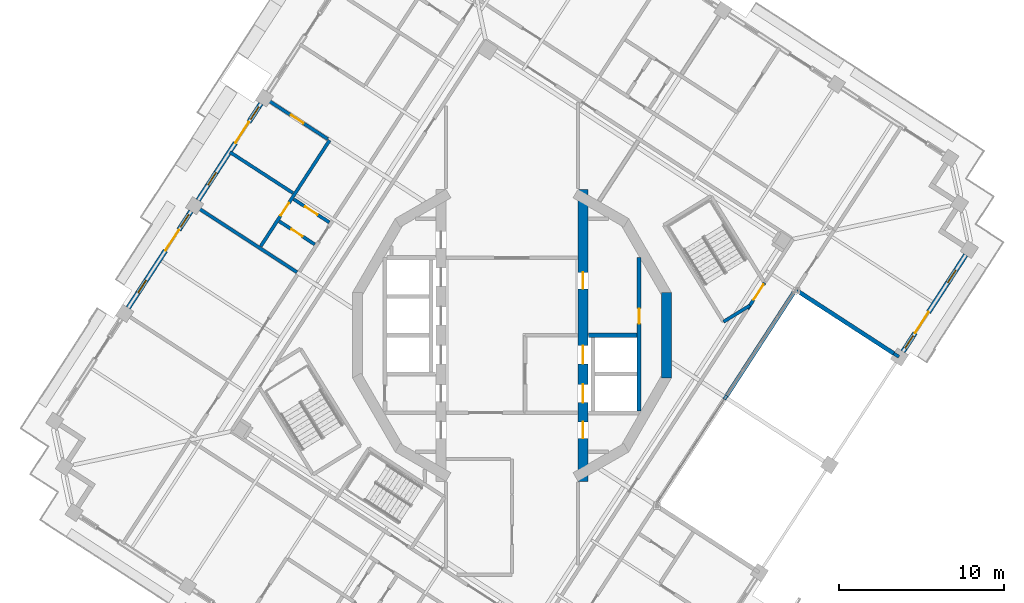
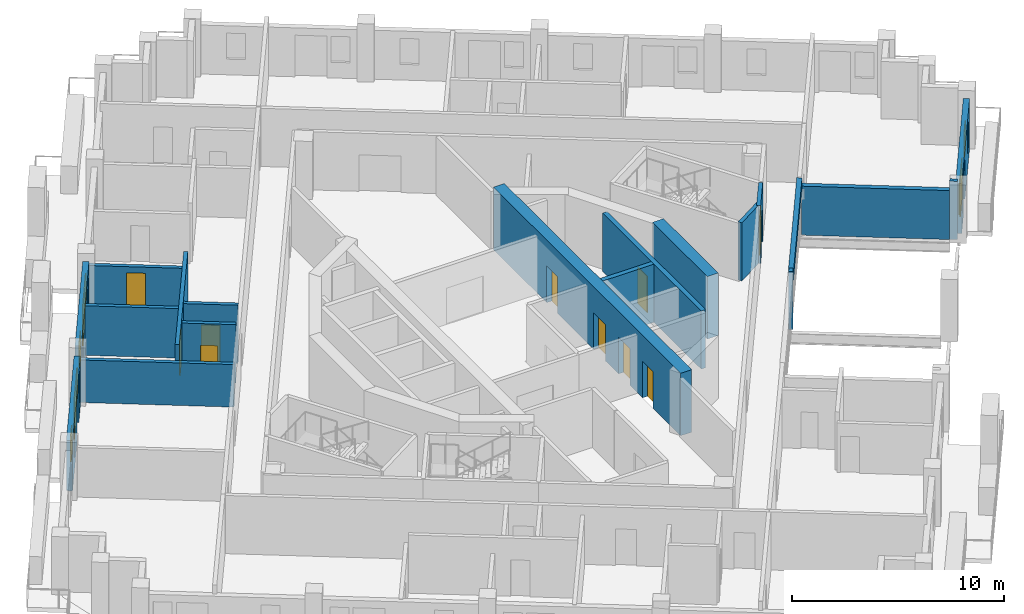
# One storey, part 8 of 17: 19 walls, 13 doors, 6 windows, 19 openings.
"""IFC4 building model written with IfcOpenShell, lengths in metres."""

from ifc_helpers import new_model, si_unit, direction, frame, frame_2d, origin, place, context, subcontext, project, spatial, rectangle, extrude, material, layer, layer_set, type_object, element, fill, save


model = new_model("IFC4")

# Units and contexts
model_context = context("Model", 3, precision=1e-05, world=origin(), true_north=direction((0.0, 1.0)))
body_context = subcontext(model_context, "Body", "Model", "MODEL_VIEW")
ifc_project = project(units=[si_unit("LENGTHUNIT", "METRE"), si_unit("AREAUNIT", "SQUARE_METRE"), si_unit("VOLUMEUNIT", "CUBIC_METRE"), si_unit("PLANEANGLEUNIT", "RADIAN"), si_unit("MASSUNIT", "GRAM", prefix="KILO")], contexts=[model_context])

# Site, building, storey
site_placement = place(None, origin())
site = spatial("IfcSite", under=ifc_project, at=site_placement, CompositionType="ELEMENT")
building_placement = place(site_placement, origin())
building = spatial("IfcBuilding", under=site, at=building_placement, Name="Cantera Rosa Tower", CompositionType="ELEMENT")
storey_placement = place(building_placement, frame((0.0, 0.0, 264.89990234375)))
storey = spatial("IfcBuildingStorey", under=building, at=storey_placement, Name="L59", CompositionType="ELEMENT", Elevation=264.89990234375)

# Wall
ifc_material_1 = material(Name="Gypsum board partition")
ifc_layer_1 = layer(ifc_material_1, 0.199951171875)
ifc_layer_set_1 = layer_set([ifc_layer_1], Name="CORRIDOR WALL 200 H3350")
wall_type_1 = type_object("IfcWallType", Name="CORRIDOR WALL 200 H3350", PredefinedType="PARTITIONING", material=ifc_layer_set_1)
wall_1_placement = place(storey_placement, frame((12.8642578125, -3.876220703125, 0.0), z_axis=(0.0, 0.0, 1.0), x_axis=(0.544605442853, 0.838692381994, 0.0)))
element("IfcWall", 1, at=wall_1_placement, inside=storey, type_object=wall_type_1, Name="CORRIDOR WALL L59-066", PredefinedType="PARTITIONING", context=body_context, shape_type="SweptSolid", body=[
    extrude(rectangle(XDim=0.26904296875, YDim=0.199951171875, at=frame_2d((0.134521484375, 0.0))), origin(), (0.0, 0.0, 1.0), 3.35009765625),
])

# Wall, openings, windows, door
ifc_material_2 = material(Name="Hollow clay masonry with cantera stone cladding", Category="masonry")
ifc_layer_2 = layer(ifc_material_2, 0.300048828125)
ifc_layer_set_2 = layer_set([ifc_layer_2], Name="EW-LOGGIA 300 H2890")
wall_type_2 = type_object("IfcWallType", Name="EW-LOGGIA 300 H2890", PredefinedType="SOLIDWALL", material=ifc_layer_set_2)
wall_2_placement = place(storey_placement, frame((-15.2080078125, 14.03759765625, 0.0), z_axis=(0.0, 0.0, 1.0), x_axis=(-0.544651451949, -0.838662504164, 0.0)))
wall_2 = element("IfcWall", 2, at=wall_2_placement, inside=storey, type_object=wall_type_2, Name="EN-L59-W09", PredefinedType="SOLIDWALL", context=body_context, shape_type="SweptSolid", body=[
    extrude(rectangle(XDim=6.980224609375, YDim=0.300048828125, at=frame_2d((3.490234375, 0.0))), origin(), (0.0, 0.0, 1.0), 2.89013671875),
])
opening_1_placement = place(wall_2_placement, frame((0.2451171875, 0.0, 0.89990234375)))
opening_1 = element("IfcOpeningElement", 3, at=opening_1_placement, cuts=wall_2, Name="Opening L59-W19", PredefinedType="OPENING", context=body_context, shape_type="SweptSolid", body=[
    extrude(rectangle(XDim=0.89990234375, YDim=1.5, at=frame_2d((0.449951171875, 0.75))), frame((0.0, 0.159912109375, 0.0), z_axis=(0.0, -1.0, 0.0), x_axis=(1.0, 0.0, 0.0)), (0.0, 0.0, 1.0), 0.320068359375),
])
opening_2_placement = place(wall_2_placement, frame((1.344970703125, 0.0, 0.0)))
opening_2 = element("IfcOpeningElement", 4, at=opening_2_placement, cuts=wall_2, Name="Opening L59-TD20", PredefinedType="OPENING", context=body_context, shape_type="SweptSolid", body=[
    extrude(rectangle(XDim=1.5, YDim=2.39990234375, at=frame_2d((0.75, 1.199951171875))), frame((0.0, 0.159912109375, 0.0), z_axis=(0.0, -1.0, 0.0), x_axis=(1.0, 0.0, 0.0)), (0.0, 0.0, 1.0), 0.320068359375),
])
opening_3_placement = place(wall_2_placement, frame((4.985107421875, 0.0, 0.89990234375)))
opening_3 = element("IfcOpeningElement", 5, at=opening_3_placement, cuts=wall_2, Name="Opening L59-W21", PredefinedType="OPENING", context=body_context, shape_type="SweptSolid", body=[
    extrude(rectangle(XDim=0.89990234375, YDim=1.5, at=frame_2d((0.449951171875, 0.75))), frame((0.0, 0.159912109375, 0.0), z_axis=(0.0, -1.0, 0.0), x_axis=(1.0, 0.0, 0.0)), (0.0, 0.0, 1.0), 0.320068359375),
])
ifc_material_3 = material(Name="Aluminium frame with clear glass", Category="aluminium")
window_type = type_object("IfcWindowType", Name="Residential window 900x1500", PartitioningType="SINGLE_PANEL", PredefinedType="WINDOW", material=ifc_material_3)
window_1_placement = place(opening_1_placement, origin())
window_1 = element("IfcWindow", 6, at=window_1_placement, inside=storey, type_object=window_type, Name="WINDOW L59-W19", OverallHeight=1.5, OverallWidth=0.89990234375, PartitioningType="SINGLE_PANEL", PredefinedType="WINDOW", context=body_context, shape_type="SweptSolid", body=[
    extrude(rectangle(XDim=0.89990234375, YDim=1.5, at=frame_2d((0.449951171875, 0.75))), frame((0.0, 0.030029296875, 0.0), z_axis=(0.0, -1.0, 0.0), x_axis=(1.0, 0.0, 0.0)), (0.0, 0.0, 1.0), 0.06005859375),
])
fill(opening_1, window_1)
window_2_placement = place(opening_3_placement, origin())
window_2 = element("IfcWindow", 7, at=window_2_placement, inside=storey, type_object=window_type, Name="WINDOW L59-W21", OverallHeight=1.5, OverallWidth=0.89990234375, PartitioningType="SINGLE_PANEL", PredefinedType="WINDOW", context=body_context, shape_type="SweptSolid", body=[
    extrude(rectangle(XDim=0.89990234375, YDim=1.5, at=frame_2d((0.449951171875, 0.75))), frame((0.0, 0.030029296875, 0.0), z_axis=(0.0, -1.0, 0.0), x_axis=(1.0, 0.0, 0.0)), (0.0, 0.0, 1.0), 0.06005859375),
])
fill(opening_3, window_2)
ifc_material_4 = material(Name="Aluminium frame with clear glass", Category="aluminium")
door_type_1 = type_object("IfcDoorType", Name="TD-R 1500x2400", OperationType="NOTDEFINED", PredefinedType="DOOR", material=ifc_material_4)
door_1_placement = place(opening_2_placement, origin())
door_1 = element("IfcDoor", 8, at=door_1_placement, inside=storey, type_object=door_type_1, Name="LOGGIA DOOR L59-TD20", OperationType="SLIDING_TO_LEFT", OverallHeight=2.39990234375, OverallWidth=1.5, PredefinedType="DOOR", context=body_context, shape_type="SweptSolid", body=[
    extrude(rectangle(XDim=1.5, YDim=2.39990234375, at=frame_2d((0.75, 1.199951171875))), frame((0.0, 0.02490234375, 0.0), z_axis=(0.0, -1.0, 0.0), x_axis=(1.0, 0.0, 0.0)), (0.0, 0.0, 1.0), 0.050048828125),
])
fill(opening_2, door_1)

wall_3_placement = place(storey_placement, frame((-19.4453125, 7.5126953125, 0.0), z_axis=(0.0, 0.0, 1.0), x_axis=(-0.544667428764, -0.838652128146, 0.0)))
wall_3 = element("IfcWall", 9, at=wall_3_placement, inside=storey, type_object=wall_type_2, Name="EN-L59-W10", PredefinedType="SOLIDWALL", context=body_context, shape_type="SweptSolid", body=[
    extrude(rectangle(XDim=6.97998046875, YDim=0.300048828125, at=frame_2d((3.489990234375, 0.0))), origin(), (0.0, 0.0, 1.0), 2.89013671875),
])
opening_4_placement = place(wall_3_placement, frame((0.2451171875, 0.0, 0.89990234375)))
opening_4 = element("IfcOpeningElement", 10, at=opening_4_placement, cuts=wall_3, Name="Opening L59-W22", PredefinedType="OPENING", context=body_context, shape_type="SweptSolid", body=[
    extrude(rectangle(XDim=0.89990234375, YDim=1.5, at=frame_2d((0.449951171875, 0.75))), frame((0.0, 0.159912109375, 0.0), z_axis=(0.0, -1.0, 0.0), x_axis=(1.0, 0.0, 0.0)), (0.0, 0.0, 1.0), 0.320068359375),
])
opening_5_placement = place(wall_3_placement, frame((1.344970703125, 0.0, 0.0)))
opening_5 = element("IfcOpeningElement", 11, at=opening_5_placement, cuts=wall_3, Name="Opening L59-TD23", PredefinedType="OPENING", context=body_context, shape_type="SweptSolid", body=[
    extrude(rectangle(XDim=1.5, YDim=2.39990234375, at=frame_2d((0.75, 1.199951171875))), frame((0.0, 0.159912109375, 0.0), z_axis=(0.0, -1.0, 0.0), x_axis=(1.0, 0.0, 0.0)), (0.0, 0.0, 1.0), 0.320068359375),
])
opening_6_placement = place(wall_3_placement, frame((4.985107421875, 0.0, 0.89990234375)))
opening_6 = element("IfcOpeningElement", 12, at=opening_6_placement, cuts=wall_3, Name="Opening L59-W24", PredefinedType="OPENING", context=body_context, shape_type="SweptSolid", body=[
    extrude(rectangle(XDim=0.89990234375, YDim=1.5, at=frame_2d((0.449951171875, 0.75))), frame((0.0, 0.159912109375, 0.0), z_axis=(0.0, -1.0, 0.0), x_axis=(1.0, 0.0, 0.0)), (0.0, 0.0, 1.0), 0.320068359375),
])
window_3_placement = place(opening_4_placement, origin())
window_3 = element("IfcWindow", 13, at=window_3_placement, inside=storey, type_object=window_type, Name="WINDOW L59-W22", OverallHeight=1.5, OverallWidth=0.89990234375, PartitioningType="SINGLE_PANEL", PredefinedType="WINDOW", context=body_context, shape_type="SweptSolid", body=[
    extrude(rectangle(XDim=0.89990234375, YDim=1.5, at=frame_2d((0.449951171875, 0.75))), frame((0.0, 0.030029296875, 0.0), z_axis=(0.0, -1.0, 0.0), x_axis=(1.0, 0.0, 0.0)), (0.0, 0.0, 1.0), 0.06005859375),
])
fill(opening_4, window_3)
window_4_placement = place(opening_6_placement, origin())
window_4 = element("IfcWindow", 14, at=window_4_placement, inside=storey, type_object=window_type, Name="WINDOW L59-W24", OverallHeight=1.5, OverallWidth=0.89990234375, PartitioningType="SINGLE_PANEL", PredefinedType="WINDOW", context=body_context, shape_type="SweptSolid", body=[
    extrude(rectangle(XDim=0.89990234375, YDim=1.5, at=frame_2d((0.449951171875, 0.75))), frame((0.0, 0.030029296875, 0.0), z_axis=(0.0, -1.0, 0.0), x_axis=(1.0, 0.0, 0.0)), (0.0, 0.0, 1.0), 0.06005859375),
])
fill(opening_6, window_4)
door_2_placement = place(opening_5_placement, origin())
door_2 = element("IfcDoor", 15, at=door_2_placement, inside=storey, type_object=door_type_1, Name="LOGGIA DOOR L59-TD23", OperationType="SLIDING_TO_LEFT", OverallHeight=2.39990234375, OverallWidth=1.5, PredefinedType="DOOR", context=body_context, shape_type="SweptSolid", body=[
    extrude(rectangle(XDim=1.5, YDim=2.39990234375, at=frame_2d((0.75, 1.199951171875))), frame((0.0, 0.02490234375, 0.0), z_axis=(0.0, -1.0, 0.0), x_axis=(1.0, 0.0, 0.0)), (0.0, 0.0, 1.0), 0.050048828125),
])
fill(opening_5, door_2)

wall_4_placement = place(storey_placement, frame((23.6826171875, -0.98779296875, 0.0), z_axis=(0.0, 0.0, 1.0), x_axis=(0.544667428764, 0.838652128146, 0.0)))
wall_4 = element("IfcWall", 16, at=wall_4_placement, inside=storey, type_object=wall_type_2, Name="EN-L59-W24", PredefinedType="SOLIDWALL", context=body_context, shape_type="SweptSolid", body=[
    extrude(rectangle(XDim=6.97998046875, YDim=0.300048828125, at=frame_2d((3.489990234375, 0.0))), origin(), (0.0, 0.0, 1.0), 2.89013671875),
])
opening_7_placement = place(wall_4_placement, frame((0.2451171875, 0.0, 0.89990234375)))
opening_7 = element("IfcOpeningElement", 17, at=opening_7_placement, cuts=wall_4, Name="Opening L59-W46", PredefinedType="OPENING", context=body_context, shape_type="SweptSolid", body=[
    extrude(rectangle(XDim=0.89990234375, YDim=1.5, at=frame_2d((0.449951171875, 0.75))), frame((0.0, 0.159912109375, 0.0), z_axis=(0.0, -1.0, 0.0), x_axis=(1.0, 0.0, 0.0)), (0.0, 0.0, 1.0), 0.320068359375),
])
opening_8_placement = place(wall_4_placement, frame((1.344970703125, 0.0, 0.0)))
opening_8 = element("IfcOpeningElement", 18, at=opening_8_placement, cuts=wall_4, Name="Opening L59-TD47", PredefinedType="OPENING", context=body_context, shape_type="SweptSolid", body=[
    extrude(rectangle(XDim=1.5, YDim=2.39990234375, at=frame_2d((0.75, 1.199951171875))), frame((0.0, 0.159912109375, 0.0), z_axis=(0.0, -1.0, 0.0), x_axis=(1.0, 0.0, 0.0)), (0.0, 0.0, 1.0), 0.320068359375),
])
opening_9_placement = place(wall_4_placement, frame((4.985107421875, 0.0, 0.89990234375)))
opening_9 = element("IfcOpeningElement", 19, at=opening_9_placement, cuts=wall_4, Name="Opening L59-W48", PredefinedType="OPENING", context=body_context, shape_type="SweptSolid", body=[
    extrude(rectangle(XDim=0.89990234375, YDim=1.5, at=frame_2d((0.449951171875, 0.75))), frame((0.0, 0.159912109375, 0.0), z_axis=(0.0, -1.0, 0.0), x_axis=(1.0, 0.0, 0.0)), (0.0, 0.0, 1.0), 0.320068359375),
])
window_5_placement = place(opening_7_placement, origin())
window_5 = element("IfcWindow", 20, at=window_5_placement, inside=storey, type_object=window_type, Name="WINDOW L59-W46", OverallHeight=1.5, OverallWidth=0.89990234375, PartitioningType="SINGLE_PANEL", PredefinedType="WINDOW", context=body_context, shape_type="SweptSolid", body=[
    extrude(rectangle(XDim=0.89990234375, YDim=1.5, at=frame_2d((0.449951171875, 0.75))), frame((0.0, 0.030029296875, 0.0), z_axis=(0.0, -1.0, 0.0), x_axis=(1.0, 0.0, 0.0)), (0.0, 0.0, 1.0), 0.06005859375),
])
fill(opening_7, window_5)
window_6_placement = place(opening_9_placement, origin())
window_6 = element("IfcWindow", 21, at=window_6_placement, inside=storey, type_object=window_type, Name="WINDOW L59-W48", OverallHeight=1.5, OverallWidth=0.89990234375, PartitioningType="SINGLE_PANEL", PredefinedType="WINDOW", context=body_context, shape_type="SweptSolid", body=[
    extrude(rectangle(XDim=0.89990234375, YDim=1.5, at=frame_2d((0.449951171875, 0.75))), frame((0.0, 0.030029296875, 0.0), z_axis=(0.0, -1.0, 0.0), x_axis=(1.0, 0.0, 0.0)), (0.0, 0.0, 1.0), 0.06005859375),
])
fill(opening_9, window_6)
door_3_placement = place(opening_8_placement, origin())
door_3 = element("IfcDoor", 22, at=door_3_placement, inside=storey, type_object=door_type_1, Name="LOGGIA DOOR L59-TD47", OperationType="SLIDING_TO_LEFT", OverallHeight=2.39990234375, OverallWidth=1.5, PredefinedType="DOOR", context=body_context, shape_type="SweptSolid", body=[
    extrude(rectangle(XDim=1.5, YDim=2.39990234375, at=frame_2d((0.75, 1.199951171875))), frame((0.0, 0.02490234375, 0.0), z_axis=(0.0, -1.0, 0.0), x_axis=(1.0, 0.0, 0.0)), (0.0, 0.0, 1.0), 0.050048828125),
])
fill(opening_8, door_3)

# Walls
ifc_material_5 = material(Name="Concrete C40/50", Category="concrete")
ifc_layer_3 = layer(ifc_material_5, 0.25)
ifc_layer_set_3 = layer_set([ifc_layer_3], Name="EW-POCKET CHEEK 250 H2820")
wall_type_3 = type_object("IfcWallType", Name="EW-POCKET CHEEK 250 H2820", PredefinedType="SOLIDWALL", material=ifc_layer_set_3)
wall_5_placement = place(storey_placement, frame((23.12939453125, -1.10546875, 0.0), z_axis=(0.0, 0.0, 1.0), x_axis=(-0.838675417097, 0.544631567904, 0.0)))
element("IfcWall", 23, at=wall_5_placement, inside=storey, type_object=wall_type_3, Name="POCKET CHEEK B L59", PredefinedType="SOLIDWALL", context=body_context, shape_type="SweptSolid", body=[
    extrude(rectangle(XDim=7.000244140625, YDim=0.25, at=frame_2d((3.5, 0.0))), origin(), (0.0, 0.0, 1.0), 2.820068359375),
])
ifc_material_6 = material(Name="Hollow clay masonry with cantera stone cladding", Category="masonry")
ifc_layer_4 = layer(ifc_material_6, 0.25)
ifc_layer_set_4 = layer_set([ifc_layer_4], Name="EW-POCKET REAR 250")
wall_type_4 = type_object("IfcWallType", Name="EW-POCKET REAR 250", PredefinedType="SOLIDWALL", material=ifc_layer_set_4)
wall_6_placement = place(storey_placement, frame((13.0107421875, -3.650634765625, 2.658203125), z_axis=(0.0, 0.0, 1.0), x_axis=(0.544643698551, 0.838667539391, 0.0)))
element("IfcWall", 24, at=wall_6_placement, inside=storey, type_object=wall_type_4, Name="POCKET SPANDREL L59-2", PredefinedType="SOLIDWALL", context=body_context, shape_type="SweptSolid", body=[
    extrude(rectangle(XDim=7.5205078125, YDim=0.25, at=frame_2d((3.76025390625, 0.0))), origin(), (0.0, 0.0, 1.0), 0.641845703125),
])

# Wall, opening, door
ifc_material_7 = material(Name="Gypsum board partition")
ifc_layer_5 = layer(ifc_material_7, 0.199951171875)
ifc_layer_set_5 = layer_set([ifc_layer_5], Name="PARTITION 200 H2450")
wall_type_5 = type_object("IfcWallType", Name="PARTITION 200 H2450", PredefinedType="PARTITIONING", material=ifc_layer_set_5)
wall_7_placement = place(storey_placement, frame((-14.965087890625, 14.356689453125, 0.0), z_axis=(0.0, 0.0, 1.0), x_axis=(0.8386764669, -0.544629951314, 0.0)))
wall_7 = element("IfcWall", 25, at=wall_7_placement, inside=storey, type_object=wall_type_5, Name="PARTITION L59-012", PredefinedType="PARTITIONING", context=body_context, shape_type="SweptSolid", body=[
    extrude(rectangle(XDim=4.550048828125, YDim=0.199951171875, at=frame_2d((2.27490234375, 0.0))), origin(), (0.0, 0.0, 1.0), 2.4501953125),
])
opening_10_placement = place(wall_7_placement, frame((1.8701171875, 0.0, 0.0)))
opening_10 = element("IfcOpeningElement", 26, at=opening_10_placement, cuts=wall_7, Name="Opening L59-029", PredefinedType="OPENING", context=body_context, shape_type="SweptSolid", body=[
    extrude(rectangle(XDim=0.89990234375, YDim=2.10009765625, at=frame_2d((0.449951171875, 1.050048828125))), frame((0.0, 0.10986328125, 0.0), z_axis=(0.0, -1.0, 0.0), x_axis=(1.0, 0.0, 0.0)), (0.0, 0.0, 1.0), 0.219970703125),
])
ifc_material_8 = material(Name="Timber door leaf", Category="wood")
door_type_2 = type_object("IfcDoorType", Name="ROOM DOOR 900x2100", OperationType="NOTDEFINED", PredefinedType="DOOR", material=ifc_material_8)
door_4_placement = place(opening_10_placement, origin())
door_4 = element("IfcDoor", 27, at=door_4_placement, inside=storey, type_object=door_type_2, Name="DOOR L59-029", OperationType="NOTDEFINED", OverallHeight=2.10009765625, OverallWidth=0.89990234375, PredefinedType="DOOR", context=body_context, shape_type="SweptSolid", body=[
    extrude(rectangle(XDim=0.89990234375, YDim=2.10009765625, at=frame_2d((0.449951171875, 1.050048828125))), frame((0.0, 0.02490234375, 0.0), z_axis=(0.0, -1.0, 0.0), x_axis=(1.0, 0.0, 0.0)), (0.0, 0.0, 1.0), 0.050048828125),
])
fill(opening_10, door_4)

# Wall
ifc_material_9 = material(Name="Gypsum board partition")
ifc_layer_6 = layer(ifc_material_9, 0.199951171875)
ifc_layer_set_6 = layer_set([ifc_layer_6], Name="PARTITION 200 H2850")
wall_type_6 = type_object("IfcWallType", Name="PARTITION 200 H2850", PredefinedType="PARTITIONING", material=ifc_layer_set_6)
wall_8_placement = place(storey_placement, frame((-17.083740234375, 11.09423828125, 0.0), z_axis=(0.0, 0.0, 1.0), x_axis=(0.8386764669, -0.544629951314, 0.0)))
element("IfcWall", 28, at=wall_8_placement, inside=storey, type_object=wall_type_6, Name="PARTITION L59-004", PredefinedType="PARTITIONING", context=body_context, shape_type="SweptSolid", body=[
    extrude(rectangle(XDim=4.550048828125, YDim=0.199951171875, at=frame_2d((2.27490234375, 0.0))), origin(), (0.0, 0.0, 1.0), 2.85009765625),
])

# Wall, opening, door
ifc_material_10 = material(Name="Gypsum board partition")
ifc_layer_7 = layer(ifc_material_10, 0.199951171875)
ifc_layer_set_7 = layer_set([ifc_layer_7], Name="PARTITION 200 H3350")
wall_type_7 = type_object("IfcWallType", Name="PARTITION 200 H3350", PredefinedType="PARTITIONING", material=ifc_layer_set_7)
wall_9_placement = place(storey_placement, frame((-15.220458984375, 5.388916015625, 0.0), z_axis=(0.0, 0.0, 1.0), x_axis=(0.544627570383, 0.838678013053, 0.0)))
wall_9 = element("IfcWall", 29, at=wall_9_placement, inside=storey, type_object=wall_type_7, Name="PARTITION L59-011", PredefinedType="PARTITIONING", context=body_context, shape_type="SweptSolid", body=[
    extrude(rectangle(XDim=7.66015625, YDim=0.199951171875, at=frame_2d((3.830078125, 0.0))), origin(), (0.0, 0.0, 1.0), 3.35009765625),
])
opening_11_placement = place(wall_9_placement, frame((2.22998046875, 0.0, 0.0)))
opening_11 = element("IfcOpeningElement", 30, at=opening_11_placement, cuts=wall_9, Name="Opening L59-028", PredefinedType="OPENING", context=body_context, shape_type="SweptSolid", body=[
    extrude(rectangle(XDim=0.89990234375, YDim=2.10009765625, at=frame_2d((0.449951171875, 1.050048828125))), frame((0.0, 0.10986328125, 0.0), z_axis=(0.0, -1.0, 0.0), x_axis=(1.0, 0.0, 0.0)), (0.0, 0.0, 1.0), 0.219970703125),
])
door_5_placement = place(opening_11_placement, origin())
door_5 = element("IfcDoor", 31, at=door_5_placement, inside=storey, type_object=door_type_2, Name="DOOR L59-028", OperationType="NOTDEFINED", OverallHeight=2.10009765625, OverallWidth=0.89990234375, PredefinedType="DOOR", context=body_context, shape_type="SweptSolid", body=[
    extrude(rectangle(XDim=0.89990234375, YDim=2.10009765625, at=frame_2d((0.449951171875, 1.050048828125))), frame((0.0, 0.02490234375, 0.0), z_axis=(0.0, -1.0, 0.0), x_axis=(1.0, 0.0, 0.0)), (0.0, 0.0, 1.0), 0.050048828125),
])
fill(opening_11, door_5)

wall_10_placement = place(storey_placement, frame((-14.095947265625, 6.900390625, 0.0), z_axis=(0.0, 0.0, 1.0), x_axis=(0.838665792468, -0.544646388536, 0.0)))
wall_10 = element("IfcWall", 32, at=wall_10_placement, inside=storey, type_object=wall_type_7, Name="PARTITION L59-014", PredefinedType="PARTITIONING", context=body_context, shape_type="SweptSolid", body=[
    extrude(rectangle(XDim=2.56005859375, YDim=0.199951171875, at=frame_2d((1.280029296875, 0.0))), origin(), (0.0, 0.0, 1.0), 3.35009765625),
])
opening_12_placement = place(wall_10_placement, frame((0.8798828125, 0.0, 0.0)))
opening_12 = element("IfcOpeningElement", 33, at=opening_12_placement, cuts=wall_10, Name="Opening L59-026", PredefinedType="OPENING", context=body_context, shape_type="SweptSolid", body=[
    extrude(rectangle(XDim=0.800048828125, YDim=2.10009765625, at=frame_2d((0.39990234375, 1.050048828125))), frame((0.0, 0.10986328125, 0.0), z_axis=(0.0, -1.0, 0.0), x_axis=(1.0, 0.0, 0.0)), (0.0, 0.0, 1.0), 0.219970703125),
])
ifc_material_11 = material(Name="Timber door leaf", Category="wood")
door_type_3 = type_object("IfcDoorType", Name="BATHROOM DOOR 800x2100", OperationType="NOTDEFINED", PredefinedType="DOOR", material=ifc_material_11)
door_6_placement = place(opening_12_placement, origin())
door_6 = element("IfcDoor", 34, at=door_6_placement, inside=storey, type_object=door_type_3, Name="DOOR L59-026", OperationType="NOTDEFINED", OverallHeight=2.10009765625, OverallWidth=0.800048828125, PredefinedType="DOOR", context=body_context, shape_type="SweptSolid", body=[
    extrude(rectangle(XDim=0.800048828125, YDim=2.10009765625, at=frame_2d((0.39990234375, 1.050048828125))), frame((0.0, 0.02490234375, 0.0), z_axis=(0.0, -1.0, 0.0), x_axis=(1.0, 0.0, 0.0)), (0.0, 0.0, 1.0), 0.050048828125),
])
fill(opening_12, door_6)

wall_11_placement = place(storey_placement, frame((-13.224365234375, 8.2421875, 0.0), z_axis=(0.0, 0.0, 1.0), x_axis=(0.838672733248, -0.544635700727, 0.0)))
wall_11 = element("IfcWall", 35, at=wall_11_placement, inside=storey, type_object=wall_type_7, Name="PARTITION L59-016", PredefinedType="PARTITIONING", context=body_context, shape_type="SweptSolid", body=[
    extrude(rectangle(XDim=2.579833984375, YDim=0.199951171875, at=frame_2d((1.2900390625, 0.0))), origin(), (0.0, 0.0, 1.0), 3.35009765625),
])
opening_13_placement = place(wall_11_placement, frame((0.830078125, 0.0, 0.0)))
opening_13 = element("IfcOpeningElement", 36, at=opening_13_placement, cuts=wall_11, Name="Opening L59-027", PredefinedType="OPENING", context=body_context, shape_type="SweptSolid", body=[
    extrude(rectangle(XDim=0.89990234375, YDim=2.10009765625, at=frame_2d((0.449951171875, 1.050048828125))), frame((0.0, 0.10986328125, 0.0), z_axis=(0.0, -1.0, 0.0), x_axis=(1.0, 0.0, 0.0)), (0.0, 0.0, 1.0), 0.219970703125),
])
door_7_placement = place(opening_13_placement, origin())
door_7 = element("IfcDoor", 37, at=door_7_placement, inside=storey, type_object=door_type_2, Name="DOOR L59-027", OperationType="NOTDEFINED", OverallHeight=2.10009765625, OverallWidth=0.89990234375, PredefinedType="DOOR", context=body_context, shape_type="SweptSolid", body=[
    extrude(rectangle(XDim=0.89990234375, YDim=2.10009765625, at=frame_2d((0.449951171875, 1.050048828125))), frame((0.0, 0.02490234375, 0.0), z_axis=(0.0, -1.0, 0.0), x_axis=(1.0, 0.0, 0.0)), (0.0, 0.0, 1.0), 0.050048828125),
])
fill(opening_13, door_7)

# Walls
wall_12_placement = place(storey_placement, frame((23.439697265625, -1.306884765625, 0.0), z_axis=(0.0, 0.0, 1.0), x_axis=(-0.838790236691, 0.544454716971, 0.0)))
element("IfcWall", 38, at=wall_12_placement, inside=storey, type_object=wall_type_7, Name="PARTITION L59-100", PredefinedType="PARTITIONING", context=body_context, shape_type="SweptSolid", body=[
    extrude(rectangle(XDim=0.369873046875, YDim=0.199951171875, at=frame_2d((0.18505859375, 0.0))), origin(), (0.0, 0.0, 1.0), 3.35009765625),
])
ifc_material_12 = material(Name="Gypsum board partition")
ifc_layer_8 = layer(ifc_material_12, 0.199951171875)
ifc_layer_set_8 = layer_set([ifc_layer_8], Name="PARTY WALL 200 H2450")
wall_type_8 = type_object("IfcWallType", Name="PARTY WALL 200 H2450", PredefinedType="PARTITIONING", material=ifc_layer_set_8)
wall_13_placement = place(storey_placement, frame((-13.021484375, 3.81787109375, 0.0), z_axis=(0.0, 0.0, 1.0), x_axis=(-0.838671355338, 0.544637822535, 0.0)))
element("IfcWall", 39, at=wall_13_placement, inside=storey, type_object=wall_type_8, Name="PARTY WALL L59-017", PredefinedType="PARTITIONING", context=body_context, shape_type="SweptSolid", body=[
    extrude(rectangle(XDim=7.369873046875, YDim=0.199951171875, at=frame_2d((3.68505859375, 0.0))), origin(), (0.0, 0.0, 1.0), 2.4501953125),
])
ifc_material_13 = material(Name="Concrete C50/60", Category="concrete")
ifc_layer_9 = layer(ifc_material_13, 0.60009765625)
ifc_layer_set_9 = layer_set([ifc_layer_9], Name="RC CORE WALL 600 C50/60")
wall_type_9 = type_object("IfcWallType", Name="RC CORE WALL 600 C50/60", PredefinedType="SHEAR", material=ifc_layer_set_9)
wall_14_placement = place(storey_placement, frame((9.359375, 2.588134765625, 0.0), z_axis=(0.0, 0.0, 1.0), x_axis=(0.0, -1.0, 0.0)))
element("IfcWall", 40, at=wall_14_placement, inside=storey, type_object=wall_type_9, Name="CW-E3 L59", PredefinedType="SHEAR", context=body_context, shape_type="SweptSolid", body=[
    extrude(rectangle(XDim=5.17626953125, YDim=0.60009765625, at=frame_2d((2.588134765625, 0.0))), origin(), (0.0, 0.0, 1.0), 3.60009765625),
])

# Wall, openings, doors
wall_15_placement = place(storey_placement, frame((4.300048828125, -8.84423828125, 0.0), z_axis=(0.0, 0.0, 1.0), x_axis=(0.0, 1.0, 0.0)))
wall_15 = element("IfcWall", 41, at=wall_15_placement, inside=storey, type_object=wall_type_9, Name="CW-E6 L59", PredefinedType="SHEAR", context=body_context, shape_type="SweptSolid", body=[
    extrude(rectangle(XDim=17.6884765625, YDim=0.60009765625, at=frame_2d((8.84423828125, 0.0))), origin(), (0.0, 0.0, 1.0), 3.60009765625),
])
opening_14_placement = place(wall_15_placement, frame((4.76904296875, 0.0, 0.0)))
opening_14 = element("IfcOpeningElement", 42, at=opening_14_placement, cuts=wall_15, Name="Opening LD-FF1-L59", PredefinedType="OPENING", context=body_context, shape_type="SweptSolid", body=[
    extrude(rectangle(XDim=1.10009765625, YDim=2.10009765625, at=frame_2d((0.550048828125, 1.050048828125))), frame((0.0, 0.31005859375, 0.0), z_axis=(0.0, -1.0, 0.0), x_axis=(1.0, 0.0, 0.0)), (0.0, 0.0, 1.0), 0.6201171875),
])
opening_15_placement = place(wall_15_placement, frame((7.119140625, 0.0, 0.0)))
opening_15 = element("IfcOpeningElement", 43, at=opening_15_placement, cuts=wall_15, Name="Opening LD-FF2-L59", PredefinedType="OPENING", context=body_context, shape_type="SweptSolid", body=[
    extrude(rectangle(XDim=1.10009765625, YDim=2.10009765625, at=frame_2d((0.550048828125, 1.050048828125))), frame((0.0, 0.31005859375, 0.0), z_axis=(0.0, -1.0, 0.0), x_axis=(1.0, 0.0, 0.0)), (0.0, 0.0, 1.0), 0.6201171875),
])
opening_16_placement = place(wall_15_placement, frame((2.5966796875, 0.0, 0.0)))
opening_16 = element("IfcOpeningElement", 44, at=opening_16_placement, cuts=wall_15, Name="Opening SD-L59-17", PredefinedType="OPENING", context=body_context, shape_type="SweptSolid", body=[
    extrude(rectangle(XDim=1.0, YDim=2.10009765625, at=frame_2d((0.5, 1.050048828125))), frame((0.0, 0.31005859375, 0.0), z_axis=(0.0, -1.0, 0.0), x_axis=(1.0, 0.0, 0.0)), (0.0, 0.0, 1.0), 0.6201171875),
])
opening_17_placement = place(wall_15_placement, frame((11.6494140625, 0.0, 0.0)))
opening_17 = element("IfcOpeningElement", 45, at=opening_17_placement, cuts=wall_15, Name="Opening SD-L59-18", PredefinedType="OPENING", context=body_context, shape_type="SweptSolid", body=[
    extrude(rectangle(XDim=1.0, YDim=2.10009765625, at=frame_2d((0.5, 1.050048828125))), frame((0.0, 0.31005859375, 0.0), z_axis=(0.0, -1.0, 0.0), x_axis=(1.0, 0.0, 0.0)), (0.0, 0.0, 1.0), 0.6201171875),
])
ifc_material_14 = material(Name="Steel S355J2 (EN 10025-2)", Category="steel")
door_type_4 = type_object("IfcDoorType", Name="LANDING DOOR 1100x2100", OperationType="NOTDEFINED", PredefinedType="DOOR", material=ifc_material_14)
door_8_placement = place(opening_14_placement, origin())
door_8 = element("IfcDoor", 46, at=door_8_placement, inside=storey, type_object=door_type_4, Name="LANDING DOOR FF1 L59", OperationType="SLIDING_TO_LEFT", OverallHeight=2.10009765625, OverallWidth=1.10009765625, PredefinedType="DOOR", context=body_context, shape_type="SweptSolid", body=[
    extrude(rectangle(XDim=1.10009765625, YDim=2.10009765625, at=frame_2d((0.550048828125, 1.050048828125))), frame((0.0, 0.02490234375, 0.0), z_axis=(0.0, -1.0, 0.0), x_axis=(1.0, 0.0, 0.0)), (0.0, 0.0, 1.0), 0.050048828125),
])
fill(opening_14, door_8)
door_9_placement = place(opening_15_placement, origin())
door_9 = element("IfcDoor", 47, at=door_9_placement, inside=storey, type_object=door_type_4, Name="LANDING DOOR FF2 L59", OperationType="SLIDING_TO_LEFT", OverallHeight=2.10009765625, OverallWidth=1.10009765625, PredefinedType="DOOR", context=body_context, shape_type="SweptSolid", body=[
    extrude(rectangle(XDim=1.10009765625, YDim=2.10009765625, at=frame_2d((0.550048828125, 1.050048828125))), frame((0.0, 0.02490234375, 0.0), z_axis=(0.0, -1.0, 0.0), x_axis=(1.0, 0.0, 0.0)), (0.0, 0.0, 1.0), 0.050048828125),
])
fill(opening_15, door_9)
ifc_material_15 = material(Name="Timber door leaf", Category="wood")
door_type_5 = type_object("IfcDoorType", Name="SERVICE DOOR 1000x2100", OperationType="NOTDEFINED", PredefinedType="DOOR", material=ifc_material_15)
door_10_placement = place(opening_16_placement, origin())
door_10 = element("IfcDoor", 48, at=door_10_placement, inside=storey, type_object=door_type_5, Name="DOOR L59-SD17", OperationType="NOTDEFINED", OverallHeight=2.10009765625, OverallWidth=1.0, PredefinedType="DOOR", context=body_context, shape_type="SweptSolid", body=[
    extrude(rectangle(XDim=1.0, YDim=2.10009765625, at=frame_2d((0.5, 1.050048828125))), frame((0.0, 0.02490234375, 0.0), z_axis=(0.0, -1.0, 0.0), x_axis=(1.0, 0.0, 0.0)), (0.0, 0.0, 1.0), 0.050048828125),
])
fill(opening_16, door_10)
door_11_placement = place(opening_17_placement, origin())
door_11 = element("IfcDoor", 49, at=door_11_placement, inside=storey, type_object=door_type_5, Name="DOOR L59-SD18", OperationType="NOTDEFINED", OverallHeight=2.10009765625, OverallWidth=1.0, PredefinedType="DOOR", context=body_context, shape_type="SweptSolid", body=[
    extrude(rectangle(XDim=1.0, YDim=2.10009765625, at=frame_2d((0.5, 1.050048828125))), frame((0.0, 0.02490234375, 0.0), z_axis=(0.0, -1.0, 0.0), x_axis=(1.0, 0.0, 0.0)), (0.0, 0.0, 1.0), 0.050048828125),
])
fill(opening_17, door_11)

# Wall
ifc_material_16 = material(Name="Masonry blockwork", Category="masonry")
ifc_layer_10 = layer(ifc_material_16, 0.25)
ifc_layer_set_10 = layer_set([ifc_layer_10], Name="SHAFT WALL 250 H3350")
wall_type_10 = type_object("IfcWallType", Name="SHAFT WALL 250 H3350", PredefinedType="SOLIDWALL", material=ifc_layer_set_10)
wall_16_placement = place(storey_placement, frame((4.6298828125, 0.0, 0.0), z_axis=(0.0, 0.0, 1.0), x_axis=(1.0, 0.0, 0.0)))
element("IfcWall", 50, at=wall_16_placement, inside=storey, type_object=wall_type_10, Name="SHAFT WALL L59-071", PredefinedType="SOLIDWALL", context=body_context, shape_type="SweptSolid", body=[
    extrude(rectangle(XDim=2.945068359375, YDim=0.25, at=frame_2d((1.47265625, 0.0))), origin(), (0.0, 0.0, 1.0), 3.35009765625),
])

# Wall, opening, door
wall_17_placement = place(storey_placement, frame((7.699951171875, -4.580078125, 0.0), z_axis=(0.0, 0.0, 1.0), x_axis=(0.0, 1.0, 0.0)))
wall_17 = element("IfcWall", 51, at=wall_17_placement, inside=storey, type_object=wall_type_10, Name="SHAFT WALL L59-078", PredefinedType="SOLIDWALL", context=body_context, shape_type="SweptSolid", body=[
    extrude(rectangle(XDim=9.3017578125, YDim=0.25, at=frame_2d((4.65087890625, 0.0))), origin(), (0.0, 0.0, 1.0), 3.35009765625),
])
opening_18_placement = place(wall_17_placement, frame((5.2900390625, 0.0, 0.0)))
opening_18 = element("IfcOpeningElement", 52, at=opening_18_placement, cuts=wall_17, Name="Opening L59-050", PredefinedType="OPENING", context=body_context, shape_type="SweptSolid", body=[
    extrude(rectangle(XDim=0.89990234375, YDim=2.10009765625, at=frame_2d((0.449951171875, 1.050048828125))), frame((0.0, 0.135009765625, 0.0), z_axis=(0.0, -1.0, 0.0), x_axis=(1.0, 0.0, 0.0)), (0.0, 0.0, 1.0), 0.27001953125),
])
ifc_material_17 = material(Name="Timber door leaf", Category="wood")
door_type_6 = type_object("IfcDoorType", Name="SERVICE DOOR 900x2100", OperationType="NOTDEFINED", PredefinedType="DOOR", material=ifc_material_17)
door_12_placement = place(opening_18_placement, origin())
door_12 = element("IfcDoor", 53, at=door_12_placement, inside=storey, type_object=door_type_6, Name="RISER DOOR L59-050", OperationType="NOTDEFINED", OverallHeight=2.10009765625, OverallWidth=0.89990234375, PredefinedType="DOOR", context=body_context, shape_type="SweptSolid", body=[
    extrude(rectangle(XDim=0.89990234375, YDim=2.10009765625, at=frame_2d((0.449951171875, 1.050048828125))), frame((0.0, 0.02490234375, 0.0), z_axis=(0.0, -1.0, 0.0), x_axis=(1.0, 0.0, 0.0)), (0.0, 0.0, 1.0), 0.050048828125),
])
fill(opening_18, door_12)

# Wall
ifc_material_18 = material(Name="Concrete C50/60", Category="concrete")
ifc_layer_11 = layer(ifc_material_18, 0.199951171875)
ifc_layer_set_11 = layer_set([ifc_layer_11], Name="STAIR WALL 200 H3350")
wall_type_11 = type_object("IfcWallType", Name="STAIR WALL 200 H3350", PredefinedType="SOLIDWALL", material=ifc_layer_set_11)
wall_18_placement = place(storey_placement, frame((12.811279296875, 0.818359375, 0.0), z_axis=(0.0, 0.0, 1.0), x_axis=(0.851125244186, 0.524962683158, 0.0)))
element("IfcWall", 54, at=wall_18_placement, inside=storey, type_object=wall_type_11, Name="STAIR WALL L59-090", PredefinedType="SOLIDWALL", context=body_context, shape_type="SweptSolid", body=[
    extrude(rectangle(XDim=1.872802734375, YDim=0.199951171875, at=frame_2d((0.9365234375, 0.0))), origin(), (0.0, 0.0, 1.0), 3.35009765625),
])

# Wall, opening, door
wall_19_placement = place(storey_placement, frame((14.268310546875, 1.5908203125, 0.0), z_axis=(0.0, 0.0, 1.0), x_axis=(0.544651565877, 0.838662430176, 0.0)))
wall_19 = element("IfcWall", 55, at=wall_19_placement, inside=storey, type_object=wall_type_11, Name="STAIR WALL L59-092", PredefinedType="SOLIDWALL", context=body_context, shape_type="SweptSolid", body=[
    extrude(rectangle(XDim=1.8857421875, YDim=0.199951171875, at=frame_2d((0.94287109375, 0.0))), origin(), (0.0, 0.0, 1.0), 3.35009765625),
])
opening_19_placement = place(wall_19_placement, frame((0.6689453125, 0.0, 0.0)))
opening_19 = element("IfcOpeningElement", 56, at=opening_19_placement, cuts=wall_19, Name="Opening L59-001", PredefinedType="OPENING", context=body_context, shape_type="SweptSolid", body=[
    extrude(rectangle(XDim=1.10009765625, YDim=2.10009765625, at=frame_2d((0.550048828125, 1.050048828125))), frame((0.0, 0.10986328125, 0.0), z_axis=(0.0, -1.0, 0.0), x_axis=(1.0, 0.0, 0.0)), (0.0, 0.0, 1.0), 0.219970703125),
])
ifc_material_19 = material(Name="Steel S355J2 (EN 10025-2)", Category="steel")
door_type_7 = type_object("IfcDoorType", Name="STAIR DOOR 1100x2100", OperationType="NOTDEFINED", PredefinedType="DOOR", material=ifc_material_19)
door_13_placement = place(opening_19_placement, origin())
door_13 = element("IfcDoor", 57, at=door_13_placement, inside=storey, type_object=door_type_7, Name="DOOR L59-001", OperationType="NOTDEFINED", OverallHeight=2.10009765625, OverallWidth=1.10009765625, PredefinedType="DOOR", context=body_context, shape_type="SweptSolid", body=[
    extrude(rectangle(XDim=1.10009765625, YDim=2.10009765625, at=frame_2d((0.550048828125, 1.050048828125))), frame((0.0, 0.02490234375, 0.0), z_axis=(0.0, -1.0, 0.0), x_axis=(1.0, 0.0, 0.0)), (0.0, 0.0, 1.0), 0.050048828125),
])
fill(opening_19, door_13)

save(model, "model.ifc")
